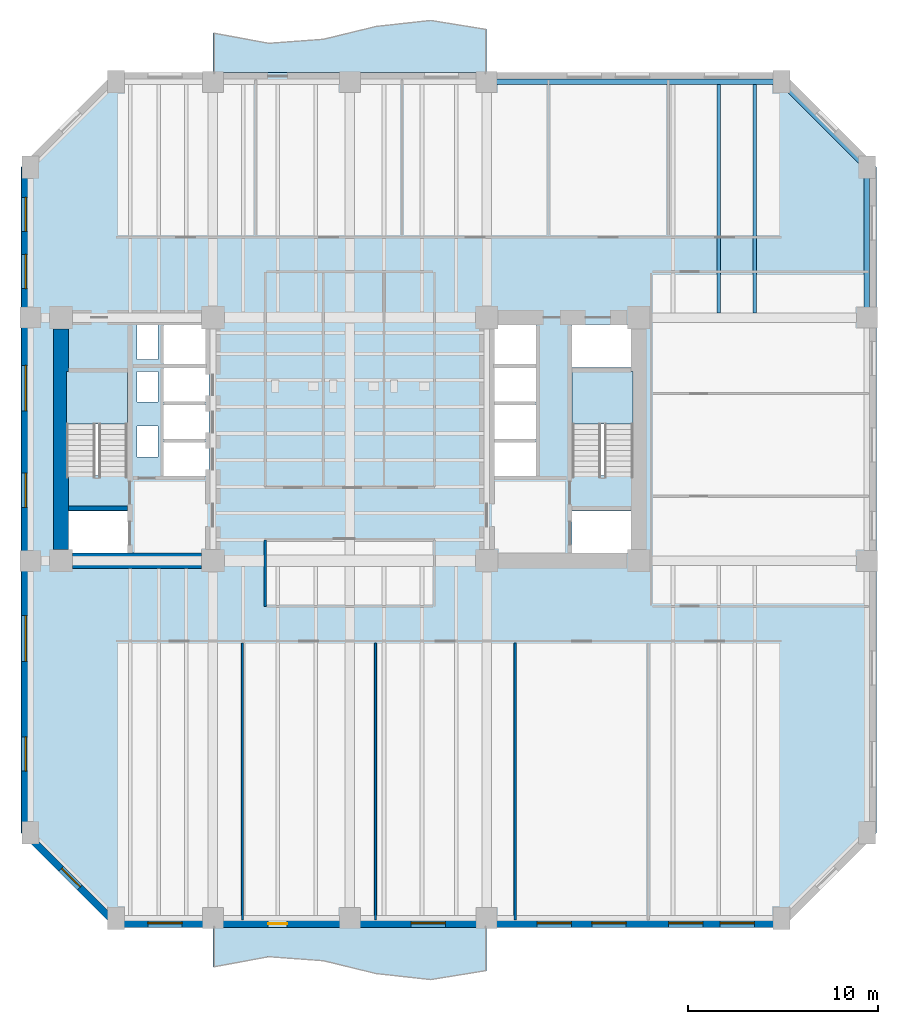
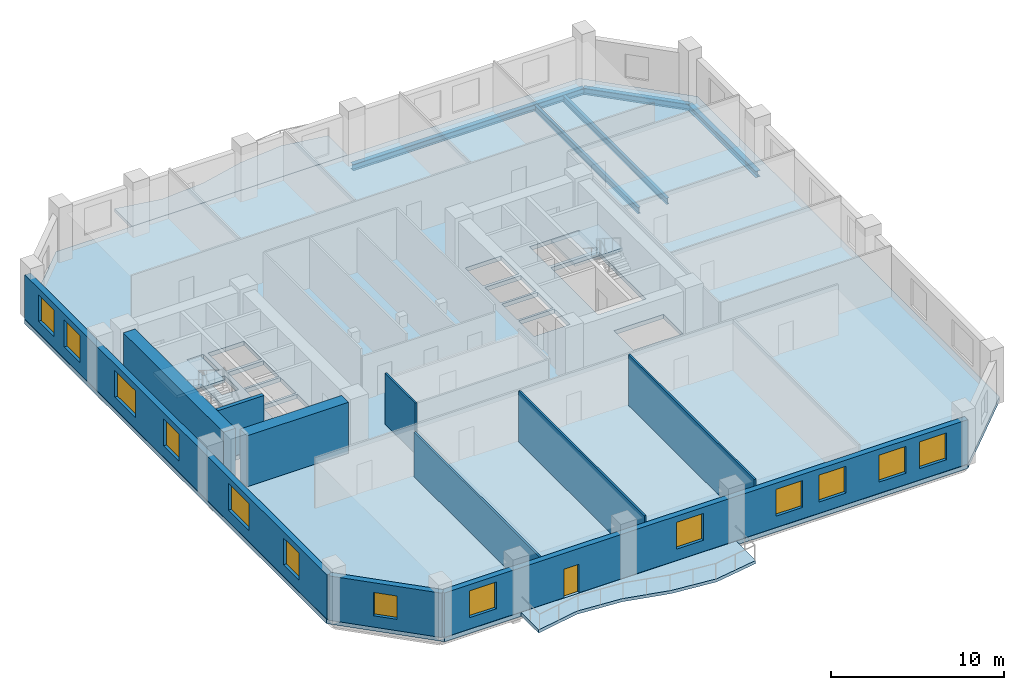
# One storey, part 2 of 9: 13 windows, 10 walls, 5 beams, 5 slabs, 1 door, 14 openings, 2 elements without a shape of their own.
"""IFC4 building model written with IfcOpenShell, lengths in metres."""

from ifc_helpers import new_model, si_unit, direction, frame, frame_2d, origin, origin_2d, place, context, subcontext, project, spatial, polyline, rectangle, i_section, outline, extrude, material, layer, layer_set, material_profile, profile_set, type_object, element, fill, aggregate, save


model = new_model("IFC4")

# Units and contexts
model_context = context("Model", 3, precision=1e-05, world=origin(), true_north=direction((0.0, 1.0)))
body_context = subcontext(model_context, "Body", "Model", "MODEL_VIEW")
ifc_project = project(units=[si_unit("LENGTHUNIT", "METRE"), si_unit("AREAUNIT", "SQUARE_METRE"), si_unit("VOLUMEUNIT", "CUBIC_METRE"), si_unit("PLANEANGLEUNIT", "RADIAN"), si_unit("MASSUNIT", "GRAM", prefix="KILO")], contexts=[model_context])

# Site, building, storey
site_placement = place(None, origin())
site = spatial("IfcSite", under=ifc_project, at=site_placement, CompositionType="ELEMENT")
building_placement = place(site_placement, origin())
building = spatial("IfcBuilding", under=site, at=building_placement, Name="Kranthara Brick Stack", CompositionType="ELEMENT")
storey_placement = place(building_placement, frame((0.0, 0.0, 59.39990234375)))
storey = spatial("IfcBuildingStorey", under=building, at=storey_placement, Name="L14", CompositionType="ELEMENT", Elevation=59.39990234375)

# Beams
ifc_material_1 = material(Name="Steel S355", Category="steel")
ifc_material_profile_1 = material_profile(ifc_material_1, i_section(OverallWidth=0.18994140625, OverallDepth=0.449951171875, WebThickness=0.009521484375, FlangeThickness=0.0146484375, at=origin_2d()), Name="IPE 450")
ifc_profile_set_1 = profile_set([ifc_material_profile_1], Name="Steel S355")
beam_type_1 = type_object("IfcBeamType", Name="BM-JST-IPE450", PredefinedType="JOIST", material=ifc_profile_set_1)
for number, where, z_axis, x_axis, name in (
    (1, (47.39990234375, 33.85009765625, -0.52490234375), (0.0, 1.0, 0.0), (-1.0, 0.0, 0.0), "L14 North Wing Floor Joist 073"),
    (2, (49.300048828125, 33.85009765625, -0.52490234375), (0.0, 1.0, 0.0), (-1.0, 0.0, 0.0), "L14 North Wing Floor Joist 075"),
):
    element("IfcBeam", number, at=place(storey_placement, frame(where, z_axis=z_axis, x_axis=x_axis)), inside=storey, type_object=beam_type_1, Name=name, PredefinedType="JOIST", context=body_context, shape_type="SweptSolid", body=[
        extrude(i_section(OverallWidth=0.18994140625, OverallDepth=0.449951171875, WebThickness=0.009521484375, FlangeThickness=0.0146484375, at=origin_2d()), origin(), (0.0, 0.0, 1.0), 12.0),
    ])
ifc_material_2 = material(Name="Steel S355", Category="steel")
ifc_material_profile_2 = material_profile(ifc_material_2, i_section(OverallWidth=0.300048828125, OverallDepth=0.449951171875, WebThickness=0.013916015625, FlangeThickness=0.02587890625, at=origin_2d()), Name="HEB 450")
ifc_profile_set_2 = profile_set([ifc_material_profile_2], Name="Steel S355")
beam_type_2 = type_object("IfcBeamType", Name="BM-STL-HEB450", PredefinedType="SPANDREL", material=ifc_profile_set_2)
beam_1_placement = place(storey_placement, frame((35.199951171875, 46.0, -0.52490234375), z_axis=(1.0, 0.0, 0.0), x_axis=(0.0, 1.0, 0.0)))
element("IfcBeam", 3, at=beam_1_placement, inside=storey, type_object=beam_type_2, Name="L14 Perimeter Spandrel Beam 012", PredefinedType="SPANDREL", context=body_context, shape_type="SweptSolid", body=[
    extrude(i_section(OverallWidth=0.300048828125, OverallDepth=0.449951171875, WebThickness=0.013916015625, FlangeThickness=0.02587890625, at=origin_2d()), origin(), (0.0, 0.0, 1.0), 15.5),
])
beam_2_placement = place(storey_placement, frame((55.199951171875, 33.60009765625, -0.52490234375), z_axis=(0.0, 1.0, 0.0), x_axis=(-1.0, 0.0, 0.0)))
element("IfcBeam", 4, at=beam_2_placement, inside=storey, type_object=beam_type_2, Name="L14 Perimeter Spandrel Beam 018", PredefinedType="SPANDREL", context=body_context, shape_type="SweptSolid", body=[
    extrude(i_section(OverallWidth=0.300048828125, OverallDepth=0.449951171875, WebThickness=0.013916015625, FlangeThickness=0.02587890625, at=origin_2d()), origin(), (0.0, 0.0, 1.0), 7.89990234375),
])
beam_3_placement = place(storey_placement, frame((50.699951171875, 46.0, -0.52490234375), z_axis=(0.707106781187, -0.707106781187, 0.0), x_axis=(0.707106781187, 0.707106781187, 0.0)))
element("IfcBeam", 5, at=beam_3_placement, inside=storey, type_object=beam_type_2, Name="L14 Chamfer Corner Spandrel 022", PredefinedType="SPANDREL", context=body_context, shape_type="SweptSolid", body=[
    extrude(i_section(OverallWidth=0.300048828125, OverallDepth=0.449951171875, WebThickness=0.013916015625, FlangeThickness=0.02587890625, at=origin_2d()), origin(), (0.0, 0.0, 1.0), 6.364013671875),
])

# Slabs
ifc_material_3 = material(Name="Concrete C45/55", Category="concrete")
ifc_layer_1 = layer(ifc_material_3, 0.219970703125)
ifc_layer_set_1 = layer_set([ifc_layer_1], Name="Concrete C45/55")
slab_type_1 = type_object("IfcSlabType", Name="SLB-BALC-220", PredefinedType="FLOOR", material=ifc_layer_set_1)
slab_1_placement = place(storey_placement, frame((0.0, 0.0, -0.219970703125)))
element("IfcSlab", 6, at=slab_1_placement, inside=storey, type_object=slab_type_1, Name="L14 South Rippling Balcony Slab", PredefinedType="FLOOR", context=body_context, shape_type="SweptSolid", body=[
    extrude(outline(polyline([(20.800048828125, 1.5), (35.199951171875, 1.5), (35.199951171875, -0.76513671875), (32.320068359375, -1.24267578125), (29.43994140625, -0.943359375), (26.56005859375, -0.243896484375), (23.679931640625, -0.023681640625), (20.800048828125, -0.5595703125), (20.800048828125, 1.5)])), origin(), (0.0, 0.0, 1.0), 0.219970703125),
])
slab_2_placement = place(storey_placement, frame((0.0, 0.0, -0.219970703125)))
element("IfcSlab", 7, at=slab_2_placement, inside=storey, type_object=slab_type_1, Name="L14 North Rippling Balcony Slab", PredefinedType="FLOOR", context=body_context, shape_type="SweptSolid", body=[
    extrude(outline(polyline([(35.199951171875, 46.5), (20.800048828125, 46.5), (20.800048828125, 48.5595703125), (23.679931640625, 48.023681640625), (26.56005859375, 48.243896484375), (29.43994140625, 48.943359375), (32.320068359375, 49.24267578125), (35.199951171875, 48.76513671875), (35.199951171875, 46.5)])), origin(), (0.0, 0.0, 1.0), 0.219970703125),
])

# Stair, slab
ifc_material_4 = material(Name="Concrete C45/55", Category="concrete")
stair_type = type_object("IfcStairType", Name="ST-CORE-22R", PredefinedType="HALF_TURN_STAIR", material=ifc_material_4)
stair_1_placement = place(storey_placement, origin())
stair_1 = element("IfcStair", 8, at=stair_1_placement, inside=storey, type_object=stair_type, Name="L14 West Core Protected Exit Stair ST01", PredefinedType="HALF_TURN_STAIR")
ifc_material_5 = material(Name="Concrete C45/55", Category="concrete")
ifc_layer_2 = layer(ifc_material_5, 0.199951171875)
ifc_layer_set_2 = layer_set([ifc_layer_2], Name="Concrete C45/55")
slab_type_2 = type_object("IfcSlabType", Name="SLB-LANDING-200", PredefinedType="LANDING", material=ifc_layer_set_2)
slab_3_placement = place(storey_placement, frame((0.0, 0.0, 1.75)))
slab_3 = element("IfcSlab", 9, at=slab_3_placement, type_object=slab_type_2, Name="ST01 landing 1", PredefinedType="LANDING", context=body_context, shape_type="SweptSolid", body=[
    extrude(outline(polyline([(16.300048828125, 28.0), (16.300048828125, 30.75), (13.10009765625, 30.75), (13.10009765625, 28.0), (16.300048828125, 28.0)])), origin(), (0.0, 0.0, 1.0), 0.2001953125),
])
aggregate(stair_1, [slab_3])

stair_2_placement = place(storey_placement, origin())
stair_2 = element("IfcStair", 10, at=stair_2_placement, inside=storey, type_object=stair_type, Name="L14 East Core Protected Exit Stair ST02", PredefinedType="HALF_TURN_STAIR")
slab_4_placement = place(storey_placement, frame((0.0, 0.0, 1.75)))
slab_4 = element("IfcSlab", 11, at=slab_4_placement, type_object=slab_type_2, Name="ST02 landing 1", PredefinedType="LANDING", context=body_context, shape_type="SweptSolid", body=[
    extrude(outline(polyline([(42.89990234375, 28.0), (42.89990234375, 30.75), (39.699951171875, 30.75), (39.699951171875, 28.0), (42.89990234375, 28.0)])), origin(), (0.0, 0.0, 1.0), 0.2001953125),
])
aggregate(stair_2, [slab_4])

# Slab
ifc_material_6 = material(Name="Post-tensioned concrete C45/55", Category="concrete")
ifc_layer_3 = layer(ifc_material_6, 0.300048828125)
ifc_layer_set_3 = layer_set([ifc_layer_3], Name="Post-tensioned concrete C45/55")
slab_type_3 = type_object("IfcSlabType", Name="SLB-TWR-300", PredefinedType="FLOOR", material=ifc_layer_set_3)
slab_5_placement = place(storey_placement, frame((0.0, 0.0, -0.2998046875)))
element("IfcSlab", 12, at=slab_5_placement, inside=storey, type_object=slab_type_3, Name="L14 Structural Floor Plate", PredefinedType="FLOOR", context=body_context, shape_type="SweptSolid", body=[
    extrude(outline(polyline([(15.699951171875, 1.5), (50.699951171875, 1.5), (55.699951171875, 6.5), (55.699951171875, 41.5), (50.699951171875, 46.5), (15.699951171875, 46.5), (10.699951171875, 41.5), (10.699951171875, 6.5), (15.699951171875, 1.5)]), holes=[polyline([(13.10009765625, 25.280029296875), (16.300048828125, 25.280029296875), (16.300048828125, 30.75), (13.10009765625, 30.75), (13.10009765625, 25.280029296875)]), polyline([(39.699951171875, 25.280029296875), (42.89990234375, 25.280029296875), (42.89990234375, 30.75), (39.699951171875, 30.75), (39.699951171875, 25.280029296875)]), polyline([(13.0, 21.179931640625), (16.320068359375, 21.179931640625), (16.320068359375, 23.419921875), (13.0, 23.419921875), (13.0, 21.179931640625)]), polyline([(39.679931640625, 21.179931640625), (43.0, 21.179931640625), (43.0, 23.419921875), (39.679931640625, 23.419921875), (39.679931640625, 21.179931640625)]), polyline([(39.679931640625, 30.97998046875), (43.0, 30.97998046875), (43.0, 33.219970703125), (39.679931640625, 33.219970703125), (39.679931640625, 30.97998046875)]), polyline([(18.199951171875, 25.25), (20.60009765625, 25.25), (20.60009765625, 27.050048828125), (18.199951171875, 27.050048828125), (18.199951171875, 25.25)]), polyline([(18.199951171875, 27.199951171875), (20.60009765625, 27.199951171875), (20.60009765625, 29.0), (18.199951171875, 29.0), (18.199951171875, 27.199951171875)]), polyline([(18.199951171875, 29.14990234375), (20.60009765625, 29.14990234375), (20.60009765625, 30.949951171875), (18.199951171875, 30.949951171875), (18.199951171875, 29.14990234375)]), polyline([(35.39990234375, 25.25), (37.800048828125, 25.25), (37.800048828125, 27.050048828125), (35.39990234375, 27.050048828125), (35.39990234375, 25.25)]), polyline([(35.39990234375, 27.199951171875), (37.800048828125, 27.199951171875), (37.800048828125, 29.0), (35.39990234375, 29.0), (35.39990234375, 27.199951171875)]), polyline([(35.39990234375, 29.14990234375), (37.800048828125, 29.14990234375), (37.800048828125, 30.949951171875), (35.39990234375, 30.949951171875), (35.39990234375, 29.14990234375)]), polyline([(18.199951171875, 31.14990234375), (20.60009765625, 31.14990234375), (20.60009765625, 33.219970703125), (18.199951171875, 33.219970703125), (18.199951171875, 31.14990234375)]), polyline([(35.39990234375, 31.14990234375), (37.800048828125, 31.14990234375), (37.800048828125, 33.219970703125), (35.39990234375, 33.219970703125), (35.39990234375, 31.14990234375)]), polyline([(16.800048828125, 26.25), (17.89990234375, 26.25), (17.89990234375, 27.89990234375), (16.800048828125, 27.89990234375), (16.800048828125, 26.25)]), polyline([(16.800048828125, 29.14990234375), (17.89990234375, 29.14990234375), (17.89990234375, 30.75), (16.800048828125, 30.75), (16.800048828125, 29.14990234375)]), polyline([(16.800048828125, 31.39990234375), (17.89990234375, 31.39990234375), (17.89990234375, 33.25), (16.800048828125, 33.25), (16.800048828125, 31.39990234375)])]), origin(), (0.0, 0.0, 1.0), 0.2998046875),
])

# Wall, openings, door, windows
ifc_material_7 = material(Name="Kiln-fired clay brick masonry M15", Category="masonry")
ifc_layer_4 = layer(ifc_material_7, 0.3798828125)
ifc_layer_set_4 = layer_set([ifc_layer_4], Name="Kiln-fired clay brick masonry M15")
wall_type_1 = type_object("IfcWallType", Name="WL-BRK-PIER-380", PredefinedType="STANDARD", material=ifc_layer_set_4)
wall_1_placement = place(storey_placement, frame((50.699951171875, 1.7099609375, 0.0), z_axis=(0.0, 0.0, 1.0), x_axis=(-1.0, 0.0, 0.0)))
wall_1 = element("IfcWall", 13, at=wall_1_placement, inside=storey, type_object=wall_type_1, Name="L14 Exterior Brick Facade Wall SOUTH 1", PredefinedType="STANDARD", context=body_context, shape_type="SweptSolid", body=[
    extrude(rectangle(XDim=35.0, YDim=0.3798828125, at=frame_2d((17.5, 0.0))), origin(), (0.0, 0.0, 1.0), 3.135009765625),
])
opening_1_placement = place(wall_1_placement, frame((26.0, 0.0, 0.0)))
opening_1 = element("IfcOpeningElement", 14, at=opening_1_placement, cuts=wall_1, Name="Opening D03", PredefinedType="OPENING", context=body_context, shape_type="SweptSolid", body=[
    extrude(rectangle(XDim=1.0, YDim=2.02001953125, at=frame_2d((0.5, 1.010009765625))), frame((0.0, 0.199951171875, 0.0), z_axis=(0.0, -1.0, 0.0), x_axis=(1.0, 0.0, 0.0)), (0.0, 0.0, 1.0), 0.39990234375),
])
opening_2_placement = place(wall_1_placement, frame((1.4189453125, 0.0, 0.800048828125)))
opening_2 = element("IfcOpeningElement", 15, at=opening_2_placement, cuts=wall_1, Name="Opening WN01", PredefinedType="OPENING", context=body_context, shape_type="SweptSolid", body=[
    extrude(rectangle(XDim=1.800048828125, YDim=1.89990234375, at=frame_2d((0.89990234375, 0.949951171875))), frame((0.0, 0.199951171875, 0.0), z_axis=(0.0, -1.0, 0.0), x_axis=(1.0, 0.0, 0.0)), (0.0, 0.0, 1.0), 0.39990234375),
])
opening_3_placement = place(wall_1_placement, frame((4.131103515625, 0.0, 0.800048828125)))
opening_3 = element("IfcOpeningElement", 16, at=opening_3_placement, cuts=wall_1, Name="Opening WN01", PredefinedType="OPENING", context=body_context, shape_type="SweptSolid", body=[
    extrude(rectangle(XDim=1.800048828125, YDim=1.89990234375, at=frame_2d((0.89990234375, 0.949951171875))), frame((0.0, 0.199951171875, 0.0), z_axis=(0.0, -1.0, 0.0), x_axis=(1.0, 0.0, 0.0)), (0.0, 0.0, 1.0), 0.39990234375),
])
opening_4_placement = place(wall_1_placement, frame((8.159912109375, 0.0, 0.800048828125)))
opening_4 = element("IfcOpeningElement", 17, at=opening_4_placement, cuts=wall_1, Name="Opening WN01", PredefinedType="OPENING", context=body_context, shape_type="SweptSolid", body=[
    extrude(rectangle(XDim=1.800048828125, YDim=1.89990234375, at=frame_2d((0.89990234375, 0.949951171875))), frame((0.0, 0.199951171875, 0.0), z_axis=(0.0, -1.0, 0.0), x_axis=(1.0, 0.0, 0.0)), (0.0, 0.0, 1.0), 0.39990234375),
])
opening_5_placement = place(wall_1_placement, frame((11.0400390625, 0.0, 0.800048828125)))
opening_5 = element("IfcOpeningElement", 18, at=opening_5_placement, cuts=wall_1, Name="Opening WN01", PredefinedType="OPENING", context=body_context, shape_type="SweptSolid", body=[
    extrude(rectangle(XDim=1.800048828125, YDim=1.89990234375, at=frame_2d((0.89990234375, 0.949951171875))), frame((0.0, 0.199951171875, 0.0), z_axis=(0.0, -1.0, 0.0), x_axis=(1.0, 0.0, 0.0)), (0.0, 0.0, 1.0), 0.39990234375),
])
opening_6_placement = place(wall_1_placement, frame((17.675048828125, 0.0, 0.800048828125)))
opening_6 = element("IfcOpeningElement", 19, at=opening_6_placement, cuts=wall_1, Name="Opening WN01", PredefinedType="OPENING", context=body_context, shape_type="SweptSolid", body=[
    extrude(rectangle(XDim=1.800048828125, YDim=1.89990234375, at=frame_2d((0.89990234375, 0.949951171875))), frame((0.0, 0.199951171875, 0.0), z_axis=(0.0, -1.0, 0.0), x_axis=(1.0, 0.0, 0.0)), (0.0, 0.0, 1.0), 0.39990234375),
])
opening_7_placement = place(wall_1_placement, frame((31.52490234375, 0.0, 0.800048828125)))
opening_7 = element("IfcOpeningElement", 20, at=opening_7_placement, cuts=wall_1, Name="Opening WN01", PredefinedType="OPENING", context=body_context, shape_type="SweptSolid", body=[
    extrude(rectangle(XDim=1.800048828125, YDim=1.89990234375, at=frame_2d((0.89990234375, 0.949951171875))), frame((0.0, 0.199951171875, 0.0), z_axis=(0.0, -1.0, 0.0), x_axis=(1.0, 0.0, 0.0)), (0.0, 0.0, 1.0), 0.39990234375),
])
ifc_material_8 = material(Name="Bronze anodised aluminium and laminated glass", Category="aluminium")
door_type = type_object("IfcDoorType", Name="DR-BALC-1000", OperationType="NOTDEFINED", PredefinedType="DOOR", material=ifc_material_8)
door_placement = place(opening_1_placement, origin())
door = element("IfcDoor", 21, at=door_placement, inside=storey, type_object=door_type, Name="L14 South Balcony Terrace Door", OperationType="SINGLE_SWING_LEFT", OverallHeight=2.02001953125, OverallWidth=1.0, PredefinedType="DOOR", context=body_context, shape_type="SweptSolid", body=[
    extrude(rectangle(XDim=1.0, YDim=2.02001953125, at=frame_2d((0.5, 1.010009765625))), frame((0.0, 0.02490234375, 0.0), z_axis=(0.0, -1.0, 0.0), x_axis=(1.0, 0.0, 0.0)), (0.0, 0.0, 1.0), 0.050048828125),
])
fill(opening_1, door)
ifc_material_9 = material(Name="Double-glazed low-E solar control glass", Category="glass")
window_type_1 = type_object("IfcWindowType", Name="WN-OFF-1800x2000", PartitioningType="SINGLE_PANEL", PredefinedType="WINDOW", material=ifc_material_9)
window_1_placement = place(opening_2_placement, origin())
window_1 = element("IfcWindow", 22, at=window_1_placement, inside=storey, type_object=window_type_1, Name="L14 South Deep-Set Brick Window 01", OverallHeight=1.89990234375, OverallWidth=1.800048828125, PartitioningType="SINGLE_PANEL", PredefinedType="WINDOW", context=body_context, shape_type="SweptSolid", body=[
    extrude(rectangle(XDim=1.800048828125, YDim=1.89990234375, at=frame_2d((0.89990234375, 0.949951171875))), frame((0.0, -0.010009765625, 0.0), z_axis=(0.0, -1.0, 0.0), x_axis=(1.0, 0.0, 0.0)), (0.0, 0.0, 1.0), 0.06005859375),
])
fill(opening_2, window_1)
window_2_placement = place(opening_3_placement, origin())
window_2 = element("IfcWindow", 23, at=window_2_placement, inside=storey, type_object=window_type_1, Name="L14 South Deep-Set Brick Window 02", OverallHeight=1.89990234375, OverallWidth=1.800048828125, PartitioningType="SINGLE_PANEL", PredefinedType="WINDOW", context=body_context, shape_type="SweptSolid", body=[
    extrude(rectangle(XDim=1.800048828125, YDim=1.89990234375, at=frame_2d((0.89990234375, 0.949951171875))), frame((0.0, -0.010009765625, 0.0), z_axis=(0.0, -1.0, 0.0), x_axis=(1.0, 0.0, 0.0)), (0.0, 0.0, 1.0), 0.06005859375),
])
fill(opening_3, window_2)
window_3_placement = place(opening_4_placement, origin())
window_3 = element("IfcWindow", 24, at=window_3_placement, inside=storey, type_object=window_type_1, Name="L14 South Deep-Set Brick Window 03", OverallHeight=1.89990234375, OverallWidth=1.800048828125, PartitioningType="SINGLE_PANEL", PredefinedType="WINDOW", context=body_context, shape_type="SweptSolid", body=[
    extrude(rectangle(XDim=1.800048828125, YDim=1.89990234375, at=frame_2d((0.89990234375, 0.949951171875))), frame((0.0, -0.010009765625, 0.0), z_axis=(0.0, -1.0, 0.0), x_axis=(1.0, 0.0, 0.0)), (0.0, 0.0, 1.0), 0.06005859375),
])
fill(opening_4, window_3)
window_4_placement = place(opening_5_placement, origin())
window_4 = element("IfcWindow", 25, at=window_4_placement, inside=storey, type_object=window_type_1, Name="L14 South Deep-Set Brick Window 04", OverallHeight=1.89990234375, OverallWidth=1.800048828125, PartitioningType="SINGLE_PANEL", PredefinedType="WINDOW", context=body_context, shape_type="SweptSolid", body=[
    extrude(rectangle(XDim=1.800048828125, YDim=1.89990234375, at=frame_2d((0.89990234375, 0.949951171875))), frame((0.0, -0.010009765625, 0.0), z_axis=(0.0, -1.0, 0.0), x_axis=(1.0, 0.0, 0.0)), (0.0, 0.0, 1.0), 0.06005859375),
])
fill(opening_5, window_4)
window_5_placement = place(opening_6_placement, origin())
window_5 = element("IfcWindow", 26, at=window_5_placement, inside=storey, type_object=window_type_1, Name="L14 South Deep-Set Brick Window 05", OverallHeight=1.89990234375, OverallWidth=1.800048828125, PartitioningType="SINGLE_PANEL", PredefinedType="WINDOW", context=body_context, shape_type="SweptSolid", body=[
    extrude(rectangle(XDim=1.800048828125, YDim=1.89990234375, at=frame_2d((0.89990234375, 0.949951171875))), frame((0.0, -0.010009765625, 0.0), z_axis=(0.0, -1.0, 0.0), x_axis=(1.0, 0.0, 0.0)), (0.0, 0.0, 1.0), 0.06005859375),
])
fill(opening_6, window_5)
window_6_placement = place(opening_7_placement, origin())
window_6 = element("IfcWindow", 27, at=window_6_placement, inside=storey, type_object=window_type_1, Name="L14 South Deep-Set Brick Window 06", OverallHeight=1.89990234375, OverallWidth=1.800048828125, PartitioningType="SINGLE_PANEL", PredefinedType="WINDOW", context=body_context, shape_type="SweptSolid", body=[
    extrude(rectangle(XDim=1.800048828125, YDim=1.89990234375, at=frame_2d((0.89990234375, 0.949951171875))), frame((0.0, -0.010009765625, 0.0), z_axis=(0.0, -1.0, 0.0), x_axis=(1.0, 0.0, 0.0)), (0.0, 0.0, 1.0), 0.06005859375),
])
fill(opening_7, window_6)

# Wall, opening, window
wall_2_placement = place(storey_placement, frame((15.699951171875, 1.7099609375, 0.0), z_axis=(0.0, 0.0, 1.0), x_axis=(-0.707106781187, 0.707106781187, 0.0)))
wall_2 = element("IfcWall", 28, at=wall_2_placement, inside=storey, type_object=wall_type_1, Name="L14 Exterior Brick Facade Wall SW 1", PredefinedType="STANDARD", context=body_context, shape_type="SweptSolid", body=[
    extrude(rectangle(XDim=6.774169921875, YDim=0.3798828125, at=frame_2d((3.38720703125, 0.0))), origin(), (0.0, 0.0, 1.0), 3.135009765625),
])
opening_8_placement = place(wall_2_placement, frame((2.68701171875, 0.0, 0.800048828125)))
opening_8 = element("IfcOpeningElement", 29, at=opening_8_placement, cuts=wall_2, Name="Opening WN10", PredefinedType="OPENING", context=body_context, shape_type="SweptSolid", body=[
    extrude(rectangle(XDim=1.39990234375, YDim=1.64990234375, at=frame_2d((0.699951171875, 0.824951171875))), frame((0.0, 0.199951171875, 0.0), z_axis=(0.0, -1.0, 0.0), x_axis=(1.0, 0.0, 0.0)), (0.0, 0.0, 1.0), 0.39990234375),
])
ifc_material_10 = material(Name="Double-glazed low-E solar control glass", Category="glass")
window_type_2 = type_object("IfcWindowType", Name="WN-CHM-1400x1750", PartitioningType="SINGLE_PANEL", PredefinedType="WINDOW", material=ifc_material_10)
window_7_placement = place(opening_8_placement, origin())
window_7 = element("IfcWindow", 30, at=window_7_placement, inside=storey, type_object=window_type_2, Name="L14 SW Chamfer Corner Window", OverallHeight=1.64990234375, OverallWidth=1.39990234375, PartitioningType="SINGLE_PANEL", PredefinedType="WINDOW", context=body_context, shape_type="SweptSolid", body=[
    extrude(rectangle(XDim=1.39990234375, YDim=1.64990234375, at=frame_2d((0.699951171875, 0.824951171875))), frame((0.0, -0.010009765625, 0.0), z_axis=(0.0, -1.0, 0.0), x_axis=(1.0, 0.0, 0.0)), (0.0, 0.0, 1.0), 0.06005859375),
])
fill(opening_8, window_7)

# Wall, openings, windows
wall_3_placement = place(storey_placement, frame((10.909912109375, 6.5, 0.0), z_axis=(0.0, 0.0, 1.0), x_axis=(0.0, 1.0, 0.0)))
wall_3 = element("IfcWall", 31, at=wall_3_placement, inside=storey, type_object=wall_type_1, Name="L14 Exterior Brick Facade Wall WEST 1", PredefinedType="STANDARD", context=body_context, shape_type="SweptSolid", body=[
    extrude(rectangle(XDim=35.0, YDim=0.3798828125, at=frame_2d((17.5, 0.0))), origin(), (0.0, 0.0, 1.0), 3.135009765625),
])
opening_9_placement = place(wall_3_placement, frame((3.239013671875, 0.0, 0.800048828125)))
opening_9 = element("IfcOpeningElement", 32, at=opening_9_placement, cuts=wall_3, Name="Opening WN01", PredefinedType="OPENING", context=body_context, shape_type="SweptSolid", body=[
    extrude(rectangle(XDim=1.800048828125, YDim=1.89990234375, at=frame_2d((0.89990234375, 0.949951171875))), frame((0.0, 0.199951171875, 0.0), z_axis=(0.0, -1.0, 0.0), x_axis=(1.0, 0.0, 0.0)), (0.0, 0.0, 1.0), 0.39990234375),
])
opening_10_placement = place(wall_3_placement, frame((9.010986328125, 0.0, 0.800048828125)))
opening_10 = element("IfcOpeningElement", 33, at=opening_10_placement, cuts=wall_3, Name="Opening WN02", PredefinedType="OPENING", context=body_context, shape_type="SweptSolid", body=[
    extrude(rectangle(XDim=2.39990234375, YDim=1.89990234375, at=frame_2d((1.199951171875, 0.949951171875))), frame((0.0, 0.199951171875, 0.0), z_axis=(0.0, -1.0, 0.0), x_axis=(1.0, 0.0, 0.0)), (0.0, 0.0, 1.0), 0.39990234375),
])
opening_11_placement = place(wall_3_placement, frame((17.112060546875, 0.0, 0.800048828125)))
opening_11 = element("IfcOpeningElement", 34, at=opening_11_placement, cuts=wall_3, Name="Opening WN01", PredefinedType="OPENING", context=body_context, shape_type="SweptSolid", body=[
    extrude(rectangle(XDim=1.800048828125, YDim=1.89990234375, at=frame_2d((0.89990234375, 0.949951171875))), frame((0.0, 0.199951171875, 0.0), z_axis=(0.0, -1.0, 0.0), x_axis=(1.0, 0.0, 0.0)), (0.0, 0.0, 1.0), 0.39990234375),
])
opening_12_placement = place(wall_3_placement, frame((22.18798828125, 0.0, 0.800048828125)))
opening_12 = element("IfcOpeningElement", 35, at=opening_12_placement, cuts=wall_3, Name="Opening WN02", PredefinedType="OPENING", context=body_context, shape_type="SweptSolid", body=[
    extrude(rectangle(XDim=2.39990234375, YDim=1.89990234375, at=frame_2d((1.199951171875, 0.949951171875))), frame((0.0, 0.199951171875, 0.0), z_axis=(0.0, -1.0, 0.0), x_axis=(1.0, 0.0, 0.0)), (0.0, 0.0, 1.0), 0.39990234375),
])
opening_13_placement = place(wall_3_placement, frame((28.625, 0.0, 0.800048828125)))
opening_13 = element("IfcOpeningElement", 36, at=opening_13_placement, cuts=wall_3, Name="Opening WN01", PredefinedType="OPENING", context=body_context, shape_type="SweptSolid", body=[
    extrude(rectangle(XDim=1.800048828125, YDim=1.89990234375, at=frame_2d((0.89990234375, 0.949951171875))), frame((0.0, 0.199951171875, 0.0), z_axis=(0.0, -1.0, 0.0), x_axis=(1.0, 0.0, 0.0)), (0.0, 0.0, 1.0), 0.39990234375),
])
opening_14_placement = place(wall_3_placement, frame((31.625, 0.0, 0.800048828125)))
opening_14 = element("IfcOpeningElement", 37, at=opening_14_placement, cuts=wall_3, Name="Opening WN01", PredefinedType="OPENING", context=body_context, shape_type="SweptSolid", body=[
    extrude(rectangle(XDim=1.800048828125, YDim=1.89990234375, at=frame_2d((0.89990234375, 0.949951171875))), frame((0.0, 0.199951171875, 0.0), z_axis=(0.0, -1.0, 0.0), x_axis=(1.0, 0.0, 0.0)), (0.0, 0.0, 1.0), 0.39990234375),
])
window_8_placement = place(opening_9_placement, origin())
window_8 = element("IfcWindow", 38, at=window_8_placement, inside=storey, type_object=window_type_1, Name="L14 West Deep-Set Brick Window 01", OverallHeight=1.89990234375, OverallWidth=1.800048828125, PartitioningType="SINGLE_PANEL", PredefinedType="WINDOW", context=body_context, shape_type="SweptSolid", body=[
    extrude(rectangle(XDim=1.800048828125, YDim=1.89990234375, at=frame_2d((0.89990234375, 0.949951171875))), frame((0.0, -0.010009765625, 0.0), z_axis=(0.0, -1.0, 0.0), x_axis=(1.0, 0.0, 0.0)), (0.0, 0.0, 1.0), 0.06005859375),
])
fill(opening_9, window_8)
window_9_placement = place(opening_11_placement, origin())
window_9 = element("IfcWindow", 39, at=window_9_placement, inside=storey, type_object=window_type_1, Name="L14 West Deep-Set Brick Window 03", OverallHeight=1.89990234375, OverallWidth=1.800048828125, PartitioningType="SINGLE_PANEL", PredefinedType="WINDOW", context=body_context, shape_type="SweptSolid", body=[
    extrude(rectangle(XDim=1.800048828125, YDim=1.89990234375, at=frame_2d((0.89990234375, 0.949951171875))), frame((0.0, -0.010009765625, 0.0), z_axis=(0.0, -1.0, 0.0), x_axis=(1.0, 0.0, 0.0)), (0.0, 0.0, 1.0), 0.06005859375),
])
fill(opening_11, window_9)
window_10_placement = place(opening_13_placement, origin())
window_10 = element("IfcWindow", 40, at=window_10_placement, inside=storey, type_object=window_type_1, Name="L14 West Deep-Set Brick Window 05", OverallHeight=1.89990234375, OverallWidth=1.800048828125, PartitioningType="SINGLE_PANEL", PredefinedType="WINDOW", context=body_context, shape_type="SweptSolid", body=[
    extrude(rectangle(XDim=1.800048828125, YDim=1.89990234375, at=frame_2d((0.89990234375, 0.949951171875))), frame((0.0, -0.010009765625, 0.0), z_axis=(0.0, -1.0, 0.0), x_axis=(1.0, 0.0, 0.0)), (0.0, 0.0, 1.0), 0.06005859375),
])
fill(opening_13, window_10)
window_11_placement = place(opening_14_placement, origin())
window_11 = element("IfcWindow", 41, at=window_11_placement, inside=storey, type_object=window_type_1, Name="L14 West Deep-Set Brick Window 06", OverallHeight=1.89990234375, OverallWidth=1.800048828125, PartitioningType="SINGLE_PANEL", PredefinedType="WINDOW", context=body_context, shape_type="SweptSolid", body=[
    extrude(rectangle(XDim=1.800048828125, YDim=1.89990234375, at=frame_2d((0.89990234375, 0.949951171875))), frame((0.0, -0.010009765625, 0.0), z_axis=(0.0, -1.0, 0.0), x_axis=(1.0, 0.0, 0.0)), (0.0, 0.0, 1.0), 0.06005859375),
])
fill(opening_14, window_11)
ifc_material_11 = material(Name="Double-glazed low-E solar control glass", Category="glass")
window_type_3 = type_object("IfcWindowType", Name="WN-OFF-2400x2000", PartitioningType="DOUBLE_PANEL_VERTICAL", PredefinedType="WINDOW", material=ifc_material_11)
window_12_placement = place(opening_10_placement, origin())
window_12 = element("IfcWindow", 42, at=window_12_placement, inside=storey, type_object=window_type_3, Name="L14 West Deep-Set Brick Window 02", OverallHeight=1.89990234375, OverallWidth=2.39990234375, PartitioningType="SINGLE_PANEL", PredefinedType="WINDOW", context=body_context, shape_type="SweptSolid", body=[
    extrude(rectangle(XDim=2.39990234375, YDim=1.89990234375, at=frame_2d((1.199951171875, 0.949951171875))), frame((0.0, -0.010009765625, 0.0), z_axis=(0.0, -1.0, 0.0), x_axis=(1.0, 0.0, 0.0)), (0.0, 0.0, 1.0), 0.06005859375),
])
fill(opening_10, window_12)
window_13_placement = place(opening_12_placement, origin())
window_13 = element("IfcWindow", 43, at=window_13_placement, inside=storey, type_object=window_type_3, Name="L14 West Deep-Set Brick Window 04", OverallHeight=1.89990234375, OverallWidth=2.39990234375, PartitioningType="SINGLE_PANEL", PredefinedType="WINDOW", context=body_context, shape_type="SweptSolid", body=[
    extrude(rectangle(XDim=2.39990234375, YDim=1.89990234375, at=frame_2d((1.199951171875, 0.949951171875))), frame((0.0, -0.010009765625, 0.0), z_axis=(0.0, -1.0, 0.0), x_axis=(1.0, 0.0, 0.0)), (0.0, 0.0, 1.0), 0.06005859375),
])
fill(opening_12, window_13)

# Walls
ifc_material_12 = material(Name="Concrete C50/60", Category="concrete")
ifc_layer_5 = layer(ifc_material_12, 0.25)
ifc_layer_set_5 = layer_set([ifc_layer_5], Name="Concrete C50/60")
wall_type_2 = type_object("IfcWallType", Name="WL-CORE-250", PredefinedType="SHEAR", material=ifc_layer_set_5)
wall_4_placement = place(storey_placement, frame((13.2099609375, 23.570068359375, 0.0), z_axis=(0.0, 0.0, 1.0), x_axis=(1.0, 0.0, 0.0)))
element("IfcWall", 44, at=wall_4_placement, inside=storey, type_object=wall_type_2, Name="L14 West Stairwell Bearing Wall WFF", PredefinedType="SHEAR", context=body_context, shape_type="SweptSolid", body=[
    extrude(rectangle(XDim=3.10009765625, YDim=0.25, at=frame_2d((1.550048828125, 0.0))), origin(), (0.0, 0.0, 1.0), 3.60009765625),
])
ifc_material_13 = material(Name="Concrete C70/85", Category="concrete")
ifc_layer_6 = layer(ifc_material_13, 0.800048828125)
ifc_layer_set_6 = layer_set([ifc_layer_6], Name="Concrete C70/85")
wall_type_3 = type_object("IfcWallType", Name="WL-CORE-800", PredefinedType="SHEAR", material=ifc_layer_set_6)
wall_5_placement = place(storey_placement, frame((12.800048828125, 21.405029296875, 0.0), z_axis=(0.0, 0.0, 1.0), x_axis=(0.0, 1.0, 0.0)))
element("IfcWall", 45, at=wall_5_placement, inside=storey, type_object=wall_type_3, Name="L14 West Core Shear Wall West", PredefinedType="SHEAR", context=body_context, shape_type="SweptSolid", body=[
    extrude(rectangle(XDim=11.590087890625, YDim=0.800048828125, at=frame_2d((5.794921875, 0.0))), origin(), (0.0, 0.0, 1.0), 3.60009765625),
])
wall_6_placement = place(storey_placement, frame((13.405029296875, 20.800048828125, 0.0), z_axis=(0.0, 0.0, 1.0), x_axis=(1.0, 0.0, 0.0)))
element("IfcWall", 46, at=wall_6_placement, inside=storey, type_object=wall_type_3, Name="L14 West Core Shear Wall South", PredefinedType="SHEAR", context=body_context, shape_type="SweptSolid", body=[
    extrude(rectangle(XDim=6.7900390625, YDim=0.800048828125, at=frame_2d((3.39501953125, 0.0))), origin(), (0.0, 0.0, 1.0), 3.60009765625),
])
ifc_material_14 = material(Name="Acoustic gypsum plasterboard partition", Category="other")
ifc_layer_7 = layer(ifc_material_14, 0.1201171875)
ifc_layer_set_7 = layer_set([ifc_layer_7], Name="Acoustic gypsum plasterboard partition")
wall_type_4 = type_object("IfcWallType", Name="WL-PART-120", PredefinedType="PARTITIONING", material=ifc_layer_set_7)
wall_7_placement = place(storey_placement, frame((23.550048828125, 18.39990234375, 0.0), z_axis=(0.0, 0.0, 1.0), x_axis=(0.0, 1.0, 0.0)))
element("IfcWall", 47, at=wall_7_placement, inside=storey, type_object=wall_type_4, Name="L14 Interior Partition 008", PredefinedType="PARTITIONING", context=body_context, shape_type="SweptSolid", body=[
    extrude(rectangle(XDim=3.485107421875, YDim=0.1201171875, at=frame_2d((1.74267578125, 0.0))), origin(), (0.0, 0.0, 1.0), 3.60009765625),
])
wall_8_placement = place(storey_placement, frame((22.35009765625, 1.905029296875, 0.0), z_axis=(0.0, 0.0, 1.0), x_axis=(0.0, 1.0, 0.0)))
element("IfcWall", 48, at=wall_8_placement, inside=storey, type_object=wall_type_4, Name="L14 Interior Partition 012", PredefinedType="PARTITIONING", context=body_context, shape_type="SweptSolid", body=[
    extrude(rectangle(XDim=14.574951171875, YDim=0.1201171875, at=frame_2d((7.28759765625, 0.0))), origin(), (0.0, 0.0, 1.0), 3.135009765625),
])
for number, where, z_axis, x_axis, name in (
    (49, (29.35009765625, 1.905029296875, 0.0), (0.0, 0.0, 1.0), (0.0, 1.0, 0.0), "L14 Interior Partition 013"),
    (50, (36.699951171875, 1.905029296875, 0.0), (0.0, 0.0, 1.0), (0.0, 1.0, 0.0), "L14 Interior Partition 014"),
):
    element("IfcWall", number, at=place(storey_placement, frame(where, z_axis=z_axis, x_axis=x_axis)), inside=storey, type_object=wall_type_4, Name=name, PredefinedType="PARTITIONING", context=body_context, shape_type="SweptSolid", body=[
        extrude(rectangle(XDim=14.574951171875, YDim=0.1201171875, at=frame_2d((7.28759765625, 0.0))), origin(), (0.0, 0.0, 1.0), 3.60009765625),
    ])

save(model, "model.ifc")
